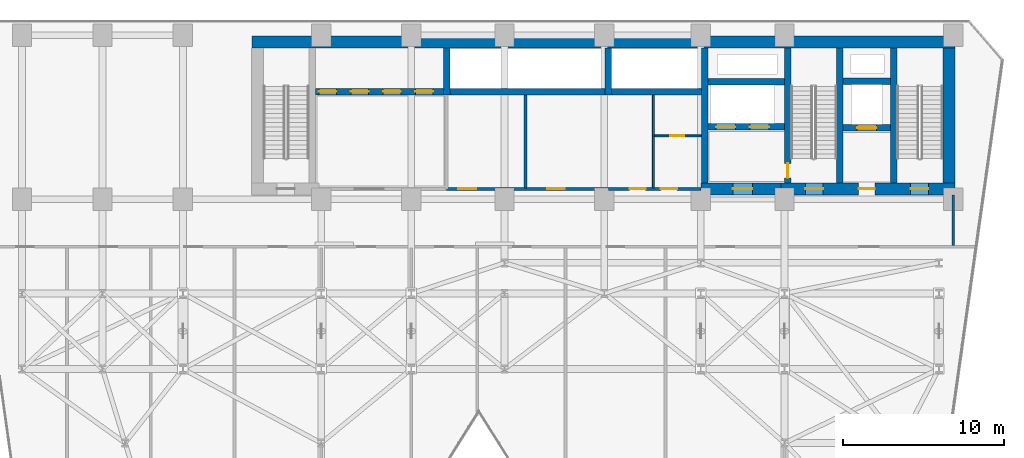
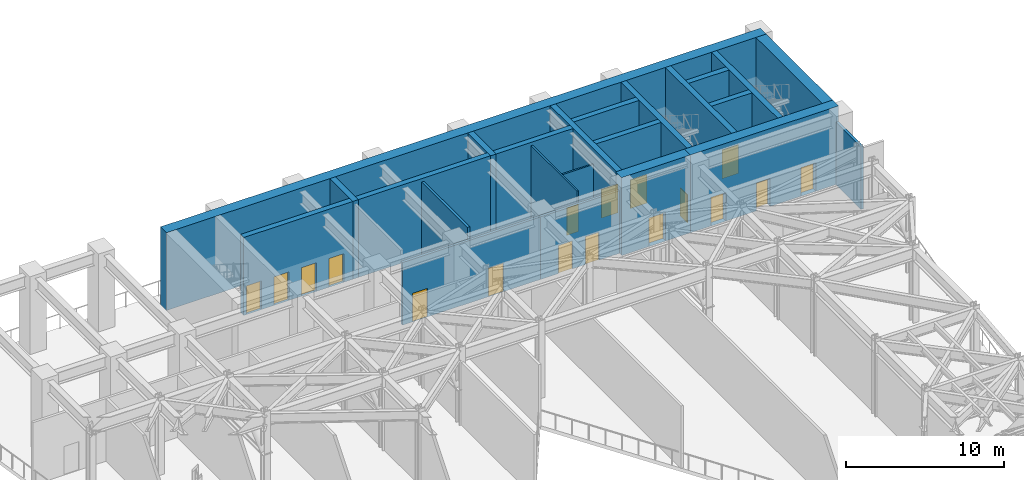
# One storey, part 7 of 12: 23 walls, 17 doors, 17 openings.
"""IFC4 building model written with IfcOpenShell, lengths in metres."""

from ifc_helpers import new_model, si_unit, direction, frame, frame_2d, origin, place, context, subcontext, project, spatial, rectangle, extrude, material, layer, layer_set, type_object, element, fill, save


model = new_model("IFC4")

# Units and contexts
model_context = context("Model", 3, precision=1e-05, world=origin(), true_north=direction((0.0, 1.0)))
body_context = subcontext(model_context, "Body", "Model", "MODEL_VIEW")
ifc_project = project(units=[si_unit("LENGTHUNIT", "METRE"), si_unit("AREAUNIT", "SQUARE_METRE"), si_unit("VOLUMEUNIT", "CUBIC_METRE"), si_unit("PLANEANGLEUNIT", "RADIAN"), si_unit("MASSUNIT", "GRAM", prefix="KILO")], contexts=[model_context])

# Site, building, storey
site_placement = place(None, origin())
site = spatial("IfcSite", under=ifc_project, at=site_placement, CompositionType="ELEMENT")
building_placement = place(site_placement, origin())
building = spatial("IfcBuilding", under=site, at=building_placement, Name="Kravanh Interchange Tower", CompositionType="ELEMENT")
storey_placement = place(building_placement, frame((0.0, 0.0, 85.5)))
storey = spatial("IfcBuildingStorey", under=building, at=storey_placement, Name="L20", CompositionType="ELEMENT", Elevation=85.5)

# Wall
ifc_material_1 = material(Name="Double Acoustic Gypsum Board and Mineral Wool")
ifc_layer_1 = layer(ifc_material_1, 0.1201171875)
ifc_layer_set_1 = layer_set([ifc_layer_1], Name="Acoustic Office Drywall Partition 120mm")
wall_type_1 = type_object("IfcWallType", Name="Acoustic Office Drywall Partition 120mm", PredefinedType="PARTITIONING", material=ifc_layer_set_1)
wall_1_placement = place(storey_placement, frame((47.85009765625, 38.068115234375, 0.0), z_axis=(0.0, 0.0, 1.0), x_axis=(0.0, 1.0, 0.0)))
element("IfcWall", 1, at=wall_1_placement, inside=storey, type_object=wall_type_1, Name="L20 Interior Partition 2", PredefinedType="PARTITIONING", context=body_context, shape_type="SweptSolid", body=[
    extrude(rectangle(XDim=5.77392578125, YDim=0.1201171875, at=frame_2d((2.886962890625, 0.0))), origin(), (0.0, 0.0, 1.0), 5.7451171875),
])

# Wall, opening, door
wall_2_placement = place(storey_placement, frame((47.91796875, 41.300048828125, 0.0), z_axis=(0.0, 0.0, 1.0), x_axis=(1.0, 0.0, 0.0)))
wall_2 = element("IfcWall", 2, at=wall_2_placement, inside=storey, type_object=wall_type_1, Name="L20 Interior Partition 3", PredefinedType="PARTITIONING", context=body_context, shape_type="SweptSolid", body=[
    extrude(rectangle(XDim=2.924072265625, YDim=0.1201171875, at=frame_2d((1.4619140625, 0.0))), origin(), (0.0, 0.0, 1.0), 4.818115234375),
])
opening_1_placement = place(wall_2_placement, frame((0.9912109375, 0.0, 0.0)))
opening_1 = element("IfcOpeningElement", 3, at=opening_1_placement, cuts=wall_2, Name="Opening D-85", PredefinedType="OPENING", context=body_context, shape_type="SweptSolid", body=[
    extrude(rectangle(XDim=0.85009765625, YDim=2.10009765625, at=frame_2d((0.425048828125, 1.050048828125))), frame((0.0, 0.070068359375, 0.0), z_axis=(0.0, -1.0, 0.0), x_axis=(1.0, 0.0, 0.0)), (0.0, 0.0, 1.0), 0.14013671875),
])
ifc_material_2 = material(Name="Engineered Teak Veneer Timber", Category="wood")
door_type_1 = type_object("IfcDoorType", Name="En-Suite Timber Door 850x2100", OperationType="NOTDEFINED", PredefinedType="DOOR", material=ifc_material_2)
door_1_placement = place(opening_1_placement, origin())
door_1 = element("IfcDoor", 4, at=door_1_placement, inside=storey, type_object=door_type_1, Name="L20 Core Supply Inner Door", OperationType="SINGLE_SWING_RIGHT", OverallHeight=2.10009765625, OverallWidth=0.85009765625, PredefinedType="DOOR", context=body_context, shape_type="SweptSolid", body=[
    extrude(rectangle(XDim=0.85009765625, YDim=2.10009765625, at=frame_2d((0.425048828125, 1.050048828125))), frame((0.0, 0.02490234375, 0.0), z_axis=(0.0, -1.0, 0.0), x_axis=(1.0, 0.0, 0.0)), (0.0, 0.0, 1.0), 0.050048828125),
])
fill(opening_1, door_1)

# Walls
ifc_material_3 = material(Name="Concrete C80/95", Category="concrete")
ifc_layer_2 = layer(ifc_material_3, 0.39990234375)
ifc_layer_set_2 = layer_set([ifc_layer_2], Name="Core Shear Wall Concrete C80/95 400mm")
wall_type_2 = type_object("IfcWallType", Name="Core Shear Wall Concrete C80/95 400mm", PredefinedType="SHEAR", material=ifc_layer_set_2)
for number, where, z_axis, x_axis, name in (
    (5, (62.800048828125, 38.375, 0.0), (0.0, 0.0, 1.0), (0.0, 1.0, 0.0), "L20 Stair ST1 West Shear Wall"),
    (6, (59.449951171875, 38.375, 0.0), (0.0, 0.0, 1.0), (0.0, 1.0, 0.0), "L20 Stair ST2 East Shear Wall"),
):
    element("IfcWall", number, at=place(storey_placement, frame(where, z_axis=z_axis, x_axis=x_axis)), inside=storey, type_object=wall_type_2, Name=name, PredefinedType="SHEAR", context=body_context, shape_type="SweptSolid", body=[
        extrude(rectangle(XDim=8.375, YDim=0.39990234375, at=frame_2d((4.1875, 0.0))), origin(), (0.0, 0.0, 1.0), 6.0),
    ])

# Wall, opening, door
wall_3_placement = place(storey_placement, frame((56.199951171875, 38.375, 0.0), z_axis=(0.0, 0.0, 1.0), x_axis=(0.0, 1.0, 0.0)))
wall_3 = element("IfcWall", 7, at=wall_3_placement, inside=storey, type_object=wall_type_2, Name="L20 Stair ST2 West Shear Wall", PredefinedType="SHEAR", context=body_context, shape_type="SweptSolid", body=[
    extrude(rectangle(XDim=8.375, YDim=0.39990234375, at=frame_2d((4.1875, 0.0))), origin(), (0.0, 0.0, 1.0), 6.0),
])
opening_2_placement = place(wall_3_placement, frame((0.304931640625, 0.0, 0.0)))
opening_2 = element("IfcOpeningElement", 8, at=opening_2_placement, cuts=wall_3, Name="Opening D-STAIR-90", PredefinedType="OPENING", context=body_context, shape_type="SweptSolid", body=[
    extrude(rectangle(XDim=0.89990234375, YDim=2.14990234375, at=frame_2d((0.449951171875, 1.074951171875))), frame((0.0, 0.2099609375, 0.0), z_axis=(0.0, -1.0, 0.0), x_axis=(1.0, 0.0, 0.0)), (0.0, 0.0, 1.0), 0.419921875),
])
ifc_material_4 = material(Name="Structural Steel S355", Category="steel")
door_type_2 = type_object("IfcDoorType", Name="Fire-Rated Stair Lobby Door 900x2150", OperationType="NOTDEFINED", PredefinedType="DOOR", material=ifc_material_4)
door_2_placement = place(opening_2_placement, origin())
door_2 = element("IfcDoor", 9, at=door_2_placement, inside=storey, type_object=door_type_2, Name="L20 Firefighting Lobby to Stair ST2 Door", OperationType="SINGLE_SWING_LEFT", OverallHeight=2.14990234375, OverallWidth=0.89990234375, PredefinedType="DOOR", context=body_context, shape_type="SweptSolid", body=[
    extrude(rectangle(XDim=0.89990234375, YDim=2.14990234375, at=frame_2d((0.449951171875, 1.074951171875))), frame((0.0, 0.02490234375, 0.0), z_axis=(0.0, -1.0, 0.0), x_axis=(1.0, 0.0, 0.0)), (0.0, 0.0, 1.0), 0.050048828125),
])
fill(opening_2, door_2)

wall_4_placement = place(storey_placement, frame((59.64990234375, 41.800048828125, 0.0), z_axis=(0.0, 0.0, 1.0), x_axis=(1.0, 0.0, 0.0)))
wall_4 = element("IfcWall", 10, at=wall_4_placement, inside=storey, type_object=wall_type_2, Name="L20 Service Lift Shaft South Wall", PredefinedType="SHEAR", context=body_context, shape_type="SweptSolid", body=[
    extrude(rectangle(XDim=2.9501953125, YDim=0.39990234375, at=frame_2d((1.47509765625, 0.0))), origin(), (0.0, 0.0, 1.0), 6.0),
])
opening_3_placement = place(wall_4_placement, frame((0.8701171875, 0.0, 0.0)))
opening_3 = element("IfcOpeningElement", 11, at=opening_3_placement, cuts=wall_4, Name="Opening LD02", PredefinedType="OPENING", context=body_context, shape_type="SweptSolid", body=[
    extrude(rectangle(XDim=1.199951171875, YDim=2.199951171875, at=frame_2d((0.60009765625, 1.10009765625))), frame((0.0, 0.2099609375, 0.0), z_axis=(0.0, -1.0, 0.0), x_axis=(1.0, 0.0, 0.0)), (0.0, 0.0, 1.0), 0.419921875),
])
ifc_material_5 = material(Name="Stainless Steel 316", Category="steel")
door_type_3 = type_object("IfcDoorType", Name="Fire and Service Lift Sliding Landing Door 1200x2200", OperationType="DOUBLE_DOOR_SLIDING", PredefinedType="DOOR", material=ifc_material_5)
door_3_placement = place(opening_3_placement, origin())
door_3 = element("IfcDoor", 12, at=door_3_placement, inside=storey, type_object=door_type_3, Name="L20 Lift LS-01 Landing Door", OperationType="DOUBLE_DOOR_SLIDING", OverallHeight=2.199951171875, OverallWidth=1.199951171875, PredefinedType="DOOR", context=body_context, shape_type="SweptSolid", body=[
    extrude(rectangle(XDim=1.199951171875, YDim=2.199951171875, at=frame_2d((0.60009765625, 1.10009765625))), frame((0.0, 0.02490234375, 0.0), z_axis=(0.0, -1.0, 0.0), x_axis=(1.0, 0.0, 0.0)), (0.0, 0.0, 1.0), 0.050048828125),
])
fill(opening_3, door_3)

# Wall
wall_5_placement = place(storey_placement, frame((59.64990234375, 44.699951171875, 0.0), z_axis=(0.0, 0.0, 1.0), x_axis=(1.0, 0.0, 0.0)))
element("IfcWall", 13, at=wall_5_placement, inside=storey, type_object=wall_type_2, Name="L20 Service Lift Shaft North Wall", PredefinedType="SHEAR", context=body_context, shape_type="SweptSolid", body=[
    extrude(rectangle(XDim=2.9501953125, YDim=0.39990234375, at=frame_2d((1.47509765625, 0.0))), origin(), (0.0, 0.0, 1.0), 6.0),
])

# Wall, openings, doors
wall_6_placement = place(storey_placement, frame((51.25, 41.85009765625, 0.0), z_axis=(0.0, 0.0, 1.0), x_axis=(1.0, 0.0, 0.0)))
wall_6 = element("IfcWall", 14, at=wall_6_placement, inside=storey, type_object=wall_type_2, Name="L20 Fire Lift Shaft South Wall", PredefinedType="SHEAR", context=body_context, shape_type="SweptSolid", body=[
    extrude(rectangle(XDim=4.75, YDim=0.39990234375, at=frame_2d((2.375, 0.0))), origin(), (0.0, 0.0, 1.0), 6.0),
])
opening_4_placement = place(wall_6_placement, frame((0.5, 0.0, 0.0)))
opening_4 = element("IfcOpeningElement", 15, at=opening_4_placement, cuts=wall_6, Name="Opening LD02", PredefinedType="OPENING", context=body_context, shape_type="SweptSolid", body=[
    extrude(rectangle(XDim=1.199951171875, YDim=2.199951171875, at=frame_2d((0.60009765625, 1.10009765625))), frame((0.0, 0.2099609375, 0.0), z_axis=(0.0, -1.0, 0.0), x_axis=(1.0, 0.0, 0.0)), (0.0, 0.0, 1.0), 0.419921875),
])
opening_5_placement = place(wall_6_placement, frame((2.60009765625, 0.0, 0.0)))
opening_5 = element("IfcOpeningElement", 16, at=opening_5_placement, cuts=wall_6, Name="Opening LD02", PredefinedType="OPENING", context=body_context, shape_type="SweptSolid", body=[
    extrude(rectangle(XDim=1.199951171875, YDim=2.199951171875, at=frame_2d((0.60009765625, 1.10009765625))), frame((0.0, 0.2099609375, 0.0), z_axis=(0.0, -1.0, 0.0), x_axis=(1.0, 0.0, 0.0)), (0.0, 0.0, 1.0), 0.419921875),
])
door_4_placement = place(opening_4_placement, origin())
door_4 = element("IfcDoor", 17, at=door_4_placement, inside=storey, type_object=door_type_3, Name="L20 Lift FSAE-01 Landing Door", OperationType="DOUBLE_DOOR_SLIDING", OverallHeight=2.199951171875, OverallWidth=1.199951171875, PredefinedType="DOOR", context=body_context, shape_type="SweptSolid", body=[
    extrude(rectangle(XDim=1.199951171875, YDim=2.199951171875, at=frame_2d((0.60009765625, 1.10009765625))), frame((0.0, 0.02490234375, 0.0), z_axis=(0.0, -1.0, 0.0), x_axis=(1.0, 0.0, 0.0)), (0.0, 0.0, 1.0), 0.050048828125),
])
fill(opening_4, door_4)
door_5_placement = place(opening_5_placement, origin())
door_5 = element("IfcDoor", 18, at=door_5_placement, inside=storey, type_object=door_type_3, Name="L20 Lift FSAE-02 Landing Door", OperationType="DOUBLE_DOOR_SLIDING", OverallHeight=2.199951171875, OverallWidth=1.199951171875, PredefinedType="DOOR", context=body_context, shape_type="SweptSolid", body=[
    extrude(rectangle(XDim=1.199951171875, YDim=2.199951171875, at=frame_2d((0.60009765625, 1.10009765625))), frame((0.0, 0.02490234375, 0.0), z_axis=(0.0, -1.0, 0.0), x_axis=(1.0, 0.0, 0.0)), (0.0, 0.0, 1.0), 0.050048828125),
])
fill(opening_5, door_5)

# Walls
wall_7_placement = place(storey_placement, frame((51.25, 44.64990234375, 0.0), z_axis=(0.0, 0.0, 1.0), x_axis=(1.0, 0.0, 0.0)))
element("IfcWall", 19, at=wall_7_placement, inside=storey, type_object=wall_type_2, Name="L20 Fire Lift Shaft North Wall", PredefinedType="SHEAR", context=body_context, shape_type="SweptSolid", body=[
    extrude(rectangle(XDim=4.75, YDim=0.39990234375, at=frame_2d((2.375, 0.0))), origin(), (0.0, 0.0, 1.0), 6.0),
])
wall_8_placement = place(storey_placement, frame((51.050048828125, 38.375, 0.0), z_axis=(0.0, 0.0, 1.0), x_axis=(0.0, 1.0, 0.0)))
element("IfcWall", 20, at=wall_8_placement, inside=storey, type_object=wall_type_2, Name="L20 Firefighting Lobby West Wall", PredefinedType="SHEAR", context=body_context, shape_type="SweptSolid", body=[
    extrude(rectangle(XDim=8.375, YDim=0.39990234375, at=frame_2d((4.1875, 0.0))), origin(), (0.0, 0.0, 1.0), 6.0),
])
wall_9_placement = place(storey_placement, frame((45.25, 44.050048828125, 0.0), z_axis=(0.0, 0.0, 1.0), x_axis=(1.0, 0.0, 0.0)))
element("IfcWall", 21, at=wall_9_placement, inside=storey, type_object=wall_type_2, Name="L20 High-Rise Lift Shaft South Wall", PredefinedType="SHEAR", context=body_context, shape_type="SweptSolid", body=[
    extrude(rectangle(XDim=5.60009765625, YDim=0.39990234375, at=frame_2d((2.800048828125, 0.0))), origin(), (0.0, 0.0, 1.0), 6.0),
])
wall_10_placement = place(storey_placement, frame((45.050048828125, 43.85009765625, 0.0), z_axis=(0.0, 0.0, 1.0), x_axis=(0.0, 1.0, 0.0)))
element("IfcWall", 22, at=wall_10_placement, inside=storey, type_object=wall_type_2, Name="L20 High-Rise Lift Shaft West Wall", PredefinedType="SHEAR", context=body_context, shape_type="SweptSolid", body=[
    extrude(rectangle(XDim=2.89990234375, YDim=0.39990234375, at=frame_2d((1.449951171875, 0.0))), origin(), (0.0, 0.0, 1.0), 6.0),
])
wall_11_placement = place(storey_placement, frame((35.199951171875, 44.050048828125, 0.0), z_axis=(0.0, 0.0, 1.0), x_axis=(1.0, 0.0, 0.0)))
element("IfcWall", 23, at=wall_11_placement, inside=storey, type_object=wall_type_2, Name="L20 Mid-Rise Lift Shaft South Wall", PredefinedType="SHEAR", context=body_context, shape_type="SweptSolid", body=[
    extrude(rectangle(XDim=9.650146484375, YDim=0.39990234375, at=frame_2d((4.8251953125, 0.0))), origin(), (0.0, 0.0, 1.0), 6.0),
])
wall_12_placement = place(storey_placement, frame((35.0, 43.85009765625, 0.0), z_axis=(0.0, 0.0, 1.0), x_axis=(0.0, 1.0, 0.0)))
element("IfcWall", 24, at=wall_12_placement, inside=storey, type_object=wall_type_2, Name="L20 Mid-Rise Lift Shaft West Wall", PredefinedType="SHEAR", context=body_context, shape_type="SweptSolid", body=[
    extrude(rectangle(XDim=2.89990234375, YDim=0.39990234375, at=frame_2d((1.449951171875, 0.0))), origin(), (0.0, 0.0, 1.0), 6.0),
])

# Wall, openings, doors
wall_13_placement = place(storey_placement, frame((26.85009765625, 44.050048828125, 0.0), z_axis=(0.0, 0.0, 1.0), x_axis=(1.0, 0.0, 0.0)))
wall_13 = element("IfcWall", 25, at=wall_13_placement, inside=storey, type_object=wall_type_2, Name="L20 Low-Rise Lift Shaft South Wall", PredefinedType="SHEAR", context=body_context, shape_type="SweptSolid", body=[
    extrude(rectangle(XDim=7.949951171875, YDim=0.39990234375, at=frame_2d((3.97509765625, 0.0))), origin(), (0.0, 0.0, 1.0), 6.0),
])
opening_6_placement = place(wall_13_placement, frame((0.199951171875, 0.0, 0.0)))
opening_6 = element("IfcOpeningElement", 26, at=opening_6_placement, cuts=wall_13, Name="Opening LD01", PredefinedType="OPENING", context=body_context, shape_type="SweptSolid", body=[
    extrude(rectangle(XDim=1.10009765625, YDim=2.199951171875, at=frame_2d((0.550048828125, 1.10009765625))), frame((0.0, 0.2099609375, 0.0), z_axis=(0.0, -1.0, 0.0), x_axis=(1.0, 0.0, 0.0)), (0.0, 0.0, 1.0), 0.419921875),
])
opening_7_placement = place(wall_13_placement, frame((2.199951171875, 0.0, 0.0)))
opening_7 = element("IfcOpeningElement", 27, at=opening_7_placement, cuts=wall_13, Name="Opening LD01", PredefinedType="OPENING", context=body_context, shape_type="SweptSolid", body=[
    extrude(rectangle(XDim=1.10009765625, YDim=2.199951171875, at=frame_2d((0.550048828125, 1.10009765625))), frame((0.0, 0.2099609375, 0.0), z_axis=(0.0, -1.0, 0.0), x_axis=(1.0, 0.0, 0.0)), (0.0, 0.0, 1.0), 0.419921875),
])
opening_8_placement = place(wall_13_placement, frame((4.199951171875, 0.0, 0.0)))
opening_8 = element("IfcOpeningElement", 28, at=opening_8_placement, cuts=wall_13, Name="Opening LD01", PredefinedType="OPENING", context=body_context, shape_type="SweptSolid", body=[
    extrude(rectangle(XDim=1.10009765625, YDim=2.199951171875, at=frame_2d((0.550048828125, 1.10009765625))), frame((0.0, 0.2099609375, 0.0), z_axis=(0.0, -1.0, 0.0), x_axis=(1.0, 0.0, 0.0)), (0.0, 0.0, 1.0), 0.419921875),
])
opening_9_placement = place(wall_13_placement, frame((6.199951171875, 0.0, 0.0)))
opening_9 = element("IfcOpeningElement", 29, at=opening_9_placement, cuts=wall_13, Name="Opening LD01", PredefinedType="OPENING", context=body_context, shape_type="SweptSolid", body=[
    extrude(rectangle(XDim=1.10009765625, YDim=2.199951171875, at=frame_2d((0.550048828125, 1.10009765625))), frame((0.0, 0.2099609375, 0.0), z_axis=(0.0, -1.0, 0.0), x_axis=(1.0, 0.0, 0.0)), (0.0, 0.0, 1.0), 0.419921875),
])
ifc_material_6 = material(Name="Stainless Steel 304", Category="steel")
door_type_4 = type_object("IfcDoorType", Name="Passenger Lift Sliding Landing Door 1100x2200", OperationType="DOUBLE_DOOR_SLIDING", PredefinedType="DOOR", material=ifc_material_6)
door_6_placement = place(opening_6_placement, origin())
door_6 = element("IfcDoor", 30, at=door_6_placement, inside=storey, type_object=door_type_4, Name="L20 Lift LP-L1 Landing Door", OperationType="DOUBLE_DOOR_SLIDING", OverallHeight=2.199951171875, OverallWidth=1.10009765625, PredefinedType="DOOR", context=body_context, shape_type="SweptSolid", body=[
    extrude(rectangle(XDim=1.10009765625, YDim=2.199951171875, at=frame_2d((0.550048828125, 1.10009765625))), frame((0.0, 0.02490234375, 0.0), z_axis=(0.0, -1.0, 0.0), x_axis=(1.0, 0.0, 0.0)), (0.0, 0.0, 1.0), 0.050048828125),
])
fill(opening_6, door_6)
door_7_placement = place(opening_7_placement, origin())
door_7 = element("IfcDoor", 31, at=door_7_placement, inside=storey, type_object=door_type_4, Name="L20 Lift LP-L2 Landing Door", OperationType="DOUBLE_DOOR_SLIDING", OverallHeight=2.199951171875, OverallWidth=1.10009765625, PredefinedType="DOOR", context=body_context, shape_type="SweptSolid", body=[
    extrude(rectangle(XDim=1.10009765625, YDim=2.199951171875, at=frame_2d((0.550048828125, 1.10009765625))), frame((0.0, 0.02490234375, 0.0), z_axis=(0.0, -1.0, 0.0), x_axis=(1.0, 0.0, 0.0)), (0.0, 0.0, 1.0), 0.050048828125),
])
fill(opening_7, door_7)
door_8_placement = place(opening_8_placement, origin())
door_8 = element("IfcDoor", 32, at=door_8_placement, inside=storey, type_object=door_type_4, Name="L20 Lift LP-L3 Landing Door", OperationType="DOUBLE_DOOR_SLIDING", OverallHeight=2.199951171875, OverallWidth=1.10009765625, PredefinedType="DOOR", context=body_context, shape_type="SweptSolid", body=[
    extrude(rectangle(XDim=1.10009765625, YDim=2.199951171875, at=frame_2d((0.550048828125, 1.10009765625))), frame((0.0, 0.02490234375, 0.0), z_axis=(0.0, -1.0, 0.0), x_axis=(1.0, 0.0, 0.0)), (0.0, 0.0, 1.0), 0.050048828125),
])
fill(opening_8, door_8)
door_9_placement = place(opening_9_placement, origin())
door_9 = element("IfcDoor", 33, at=door_9_placement, inside=storey, type_object=door_type_4, Name="L20 Lift LP-L4 Landing Door", OperationType="DOUBLE_DOOR_SLIDING", OverallHeight=2.199951171875, OverallWidth=1.10009765625, PredefinedType="DOOR", context=body_context, shape_type="SweptSolid", body=[
    extrude(rectangle(XDim=1.10009765625, YDim=2.199951171875, at=frame_2d((0.550048828125, 1.10009765625))), frame((0.0, 0.02490234375, 0.0), z_axis=(0.0, -1.0, 0.0), x_axis=(1.0, 0.0, 0.0)), (0.0, 0.0, 1.0), 0.050048828125),
])
fill(opening_9, door_9)

# Wall
ifc_material_7 = material(Name="Concrete C80/95", Category="concrete")
ifc_layer_3 = layer(ifc_material_7, 0.75)
ifc_layer_set_3 = layer_set([ifc_layer_3], Name="Core Shear Wall Concrete C80/95 750mm")
wall_type_3 = type_object("IfcWallType", Name="Core Shear Wall Concrete C80/95 750mm", PredefinedType="SHEAR", material=ifc_layer_set_3)
wall_14_placement = place(storey_placement, frame((22.89990234375, 47.125, 0.0), z_axis=(0.0, 0.0, 1.0), x_axis=(1.0, 0.0, 0.0)))
element("IfcWall", 34, at=wall_14_placement, inside=storey, type_object=wall_type_3, Name="L20 North Core Shear Wall", PredefinedType="SHEAR", context=body_context, shape_type="SweptSolid", body=[
    extrude(rectangle(XDim=43.7001953125, YDim=0.75, at=frame_2d((21.85009765625, 0.0))), origin(), (0.0, 0.0, 1.0), 6.0),
])

# Wall, openings, doors
wall_15_placement = place(storey_placement, frame((55.800048828125, 38.0, 0.0), z_axis=(0.0, 0.0, 1.0), x_axis=(1.0, 0.0, 0.0)))
wall_15 = element("IfcWall", 35, at=wall_15_placement, inside=storey, type_object=wall_type_3, Name="L20 East Core South Shear Wall", PredefinedType="SHEAR", context=body_context, shape_type="SweptSolid", body=[
    extrude(rectangle(XDim=10.800048828125, YDim=0.75, at=frame_2d((5.39990234375, 0.0))), origin(), (0.0, 0.0, 1.0), 6.0),
])
opening_10_placement = place(wall_15_placement, frame((1.5, 0.0, 0.0)))
opening_10 = element("IfcOpeningElement", 36, at=opening_10_placement, cuts=wall_15, Name="Opening D-STAIR-110", PredefinedType="OPENING", context=body_context, shape_type="SweptSolid", body=[
    extrude(rectangle(XDim=1.10009765625, YDim=2.199951171875, at=frame_2d((0.550048828125, 1.10009765625))), frame((0.0, 0.385009765625, 0.0), z_axis=(0.0, -1.0, 0.0), x_axis=(1.0, 0.0, 0.0)), (0.0, 0.0, 1.0), 0.77001953125),
])
opening_11_placement = place(wall_15_placement, frame((4.820068359375, 0.0, 0.0)))
opening_11 = element("IfcOpeningElement", 37, at=opening_11_placement, cuts=wall_15, Name="Opening D-HOTEL-100", PredefinedType="OPENING", context=body_context, shape_type="SweptSolid", body=[
    extrude(rectangle(XDim=1.0, YDim=2.14990234375, at=frame_2d((0.5, 1.074951171875))), frame((0.0, 0.385009765625, 0.0), z_axis=(0.0, -1.0, 0.0), x_axis=(1.0, 0.0, 0.0)), (0.0, 0.0, 1.0), 0.77001953125),
])
opening_12_placement = place(wall_15_placement, frame((8.050048828125, 0.0, 0.0)))
opening_12 = element("IfcOpeningElement", 38, at=opening_12_placement, cuts=wall_15, Name="Opening D-STAIR-110", PredefinedType="OPENING", context=body_context, shape_type="SweptSolid", body=[
    extrude(rectangle(XDim=1.10009765625, YDim=2.199951171875, at=frame_2d((0.550048828125, 1.10009765625))), frame((0.0, 0.385009765625, 0.0), z_axis=(0.0, -1.0, 0.0), x_axis=(1.0, 0.0, 0.0)), (0.0, 0.0, 1.0), 0.77001953125),
])
ifc_material_8 = material(Name="Structural Steel S355", Category="steel")
door_type_5 = type_object("IfcDoorType", Name="Fire-Rated Exit Stair Door 1100x2200", OperationType="NOTDEFINED", PredefinedType="DOOR", material=ifc_material_8)
door_10_placement = place(opening_10_placement, origin())
door_10 = element("IfcDoor", 39, at=door_10_placement, inside=storey, type_object=door_type_5, Name="L20 Exit Stair ST2 Door", OperationType="SINGLE_SWING_RIGHT", OverallHeight=2.199951171875, OverallWidth=1.10009765625, PredefinedType="DOOR", context=body_context, shape_type="SweptSolid", body=[
    extrude(rectangle(XDim=1.10009765625, YDim=2.199951171875, at=frame_2d((0.550048828125, 1.10009765625))), frame((0.0, 0.02490234375, 0.0), z_axis=(0.0, -1.0, 0.0), x_axis=(1.0, 0.0, 0.0)), (0.0, 0.0, 1.0), 0.050048828125),
])
fill(opening_10, door_10)
door_11_placement = place(opening_12_placement, origin())
door_11 = element("IfcDoor", 40, at=door_11_placement, inside=storey, type_object=door_type_5, Name="L20 Exit Stair ST1 Door", OperationType="SINGLE_SWING_RIGHT", OverallHeight=2.199951171875, OverallWidth=1.10009765625, PredefinedType="DOOR", context=body_context, shape_type="SweptSolid", body=[
    extrude(rectangle(XDim=1.10009765625, YDim=2.199951171875, at=frame_2d((0.550048828125, 1.10009765625))), frame((0.0, 0.02490234375, 0.0), z_axis=(0.0, -1.0, 0.0), x_axis=(1.0, 0.0, 0.0)), (0.0, 0.0, 1.0), 0.050048828125),
])
fill(opening_12, door_11)
ifc_material_9 = material(Name="Fire-Rated Solid Timber Leaf", Category="wood")
door_type_6 = type_object("IfcDoorType", Name="Fire-Rated Suite Entrance Door 1000x2150", OperationType="NOTDEFINED", PredefinedType="DOOR", material=ifc_material_9)
door_12_placement = place(opening_11_placement, origin())
door_12 = element("IfcDoor", 41, at=door_12_placement, inside=storey, type_object=door_type_6, Name="L20 Service Lift Lobby Door", OperationType="SINGLE_SWING_RIGHT", OverallHeight=2.14990234375, OverallWidth=1.0, PredefinedType="DOOR", context=body_context, shape_type="SweptSolid", body=[
    extrude(rectangle(XDim=1.0, YDim=2.14990234375, at=frame_2d((0.5, 1.074951171875))), frame((0.0, 0.02490234375, 0.0), z_axis=(0.0, -1.0, 0.0), x_axis=(1.0, 0.0, 0.0)), (0.0, 0.0, 1.0), 0.050048828125),
])
fill(opening_11, door_12)

# Wall
wall_16_placement = place(storey_placement, frame((66.22509765625, 38.375, 0.0), z_axis=(0.0, 0.0, 1.0), x_axis=(0.0, 1.0, 0.0)))
element("IfcWall", 42, at=wall_16_placement, inside=storey, type_object=wall_type_3, Name="L20 Stair ST1 East Shear Wall", PredefinedType="SHEAR", context=body_context, shape_type="SweptSolid", body=[
    extrude(rectangle(XDim=8.375, YDim=0.75, at=frame_2d((4.1875, 0.0))), origin(), (0.0, 0.0, 1.0), 6.0),
])

# Wall, opening, door
wall_17_placement = place(storey_placement, frame((50.800048828125, 38.0, 0.0), z_axis=(0.0, 0.0, 1.0), x_axis=(1.0, 0.0, 0.0)))
wall_17 = element("IfcWall", 43, at=wall_17_placement, inside=storey, type_object=wall_type_3, Name="L20 Firefighting Lobby South Shear Wall", PredefinedType="SHEAR", context=body_context, shape_type="SweptSolid", body=[
    extrude(rectangle(XDim=5.0, YDim=0.75, at=frame_2d((2.5, 0.0))), origin(), (0.0, 0.0, 1.0), 6.0),
])
opening_13_placement = place(wall_17_placement, frame((2.0, 0.0, 0.0)))
opening_13 = element("IfcOpeningElement", 44, at=opening_13_placement, cuts=wall_17, Name="Opening D-FSAE-120", PredefinedType="OPENING", context=body_context, shape_type="SweptSolid", body=[
    extrude(rectangle(XDim=1.199951171875, YDim=2.199951171875, at=frame_2d((0.60009765625, 1.10009765625))), frame((0.0, 0.385009765625, 0.0), z_axis=(0.0, -1.0, 0.0), x_axis=(1.0, 0.0, 0.0)), (0.0, 0.0, 1.0), 0.77001953125),
])
ifc_material_10 = material(Name="Structural Steel S355", Category="steel")
door_type_7 = type_object("IfcDoorType", Name="Fire-Rated Refuge and FSAE Door 1200x2200", OperationType="NOTDEFINED", PredefinedType="DOOR", material=ifc_material_10)
door_13_placement = place(opening_13_placement, origin())
door_13 = element("IfcDoor", 45, at=door_13_placement, inside=storey, type_object=door_type_7, Name="L20 Firefighting Lobby Corridor Door", OperationType="SINGLE_SWING_RIGHT", OverallHeight=2.199951171875, OverallWidth=1.199951171875, PredefinedType="DOOR", context=body_context, shape_type="SweptSolid", body=[
    extrude(rectangle(XDim=1.199951171875, YDim=2.199951171875, at=frame_2d((0.60009765625, 1.10009765625))), frame((0.0, 0.02490234375, 0.0), z_axis=(0.0, -1.0, 0.0), x_axis=(1.0, 0.0, 0.0)), (0.0, 0.0, 1.0), 0.050048828125),
])
fill(opening_13, door_13)

# Wall, openings, doors
ifc_material_11 = material(Name="Autoclaved Aerated Concrete C30/37 Blockwork", Category="masonry")
ifc_layer_4 = layer(ifc_material_11, 0.179931640625)
ifc_layer_set_4 = layer_set([ifc_layer_4], Name="Fire-Rated Lobby and Corridor Wall Concrete C30/37 180mm")
wall_type_4 = type_object("IfcWallType", Name="Fire-Rated Lobby and Corridor Wall Concrete C30/37 180mm", PredefinedType="STANDARD", material=ifc_layer_set_4)
wall_18_placement = place(storey_placement, frame((45.050048828125, 38.0, 0.0), z_axis=(0.0, 0.0, 1.0), x_axis=(1.0, 0.0, 0.0)))
wall_18 = element("IfcWall", 46, at=wall_18_placement, inside=storey, type_object=wall_type_4, Name="L20 Core South Enclosure 1", PredefinedType="STANDARD", context=body_context, shape_type="SweptSolid", body=[
    extrude(rectangle(XDim=5.75, YDim=0.179931640625, at=frame_2d((2.875, 0.0))), origin(), (0.0, 0.0, 1.0), 4.818115234375),
])
opening_14_placement = place(wall_18_placement, frame((1.324951171875, 0.0, 0.0)))
opening_14 = element("IfcOpeningElement", 47, at=opening_14_placement, cuts=wall_18, Name="Opening D-HOTEL-100", PredefinedType="OPENING", context=body_context, shape_type="SweptSolid", body=[
    extrude(rectangle(XDim=1.0, YDim=2.14990234375, at=frame_2d((0.5, 1.074951171875))), frame((0.0, 0.10009765625, 0.0), z_axis=(0.0, -1.0, 0.0), x_axis=(1.0, 0.0, 0.0)), (0.0, 0.0, 1.0), 0.199951171875),
])
opening_15_placement = place(wall_18_placement, frame((3.27490234375, 0.0, 0.0)))
opening_15 = element("IfcOpeningElement", 48, at=opening_15_placement, cuts=wall_18, Name="Opening D-HOTEL-100", PredefinedType="OPENING", context=body_context, shape_type="SweptSolid", body=[
    extrude(rectangle(XDim=1.0, YDim=2.14990234375, at=frame_2d((0.5, 1.074951171875))), frame((0.0, 0.10009765625, 0.0), z_axis=(0.0, -1.0, 0.0), x_axis=(1.0, 0.0, 0.0)), (0.0, 0.0, 1.0), 0.199951171875),
])
door_14_placement = place(opening_14_placement, origin())
door_14 = element("IfcDoor", 49, at=door_14_placement, inside=storey, type_object=door_type_6, Name="L20 Core Metering Door", OperationType="SINGLE_SWING_RIGHT", OverallHeight=2.14990234375, OverallWidth=1.0, PredefinedType="DOOR", context=body_context, shape_type="SweptSolid", body=[
    extrude(rectangle(XDim=1.0, YDim=2.14990234375, at=frame_2d((0.5, 1.074951171875))), frame((0.0, 0.02490234375, 0.0), z_axis=(0.0, -1.0, 0.0), x_axis=(1.0, 0.0, 0.0)), (0.0, 0.0, 1.0), 0.050048828125),
])
fill(opening_14, door_14)
door_15_placement = place(opening_15_placement, origin())
door_15 = element("IfcDoor", 50, at=door_15_placement, inside=storey, type_object=door_type_6, Name="L20 Core Copy Room Door", OperationType="SINGLE_SWING_LEFT", OverallHeight=2.14990234375, OverallWidth=1.0, PredefinedType="DOOR", context=body_context, shape_type="SweptSolid", body=[
    extrude(rectangle(XDim=1.0, YDim=2.14990234375, at=frame_2d((0.5, 1.074951171875))), frame((0.0, 0.02490234375, 0.0), z_axis=(0.0, -1.0, 0.0), x_axis=(1.0, 0.0, 0.0)), (0.0, 0.0, 1.0), 0.050048828125),
])
fill(opening_15, door_15)

wall_19_placement = place(storey_placement, frame((35.0, 38.0, 0.0), z_axis=(0.0, 0.0, 1.0), x_axis=(1.0, 0.0, 0.0)))
wall_19 = element("IfcWall", 51, at=wall_19_placement, inside=storey, type_object=wall_type_4, Name="L20 Core Plant Support South Wall 6", PredefinedType="STANDARD", context=body_context, shape_type="SweptSolid", body=[
    extrude(rectangle(XDim=10.050048828125, YDim=0.179931640625, at=frame_2d((5.02490234375, 0.0))), origin(), (0.0, 0.0, 1.0), 4.818115234375),
])
opening_16_placement = place(wall_19_placement, frame((0.72509765625, 0.0, 0.0)))
opening_16 = element("IfcOpeningElement", 52, at=opening_16_placement, cuts=wall_19, Name="Opening D-STAIR-110", PredefinedType="OPENING", context=body_context, shape_type="SweptSolid", body=[
    extrude(rectangle(XDim=1.10009765625, YDim=2.199951171875, at=frame_2d((0.550048828125, 1.10009765625))), frame((0.0, 0.10009765625, 0.0), z_axis=(0.0, -1.0, 0.0), x_axis=(1.0, 0.0, 0.0)), (0.0, 0.0, 1.0), 0.199951171875),
])
opening_17_placement = place(wall_19_placement, frame((6.25, 0.0, 0.0)))
opening_17 = element("IfcOpeningElement", 53, at=opening_17_placement, cuts=wall_19, Name="Opening D-STAIR-110", PredefinedType="OPENING", context=body_context, shape_type="SweptSolid", body=[
    extrude(rectangle(XDim=1.10009765625, YDim=2.199951171875, at=frame_2d((0.550048828125, 1.10009765625))), frame((0.0, 0.10009765625, 0.0), z_axis=(0.0, -1.0, 0.0), x_axis=(1.0, 0.0, 0.0)), (0.0, 0.0, 1.0), 0.199951171875),
])
door_16_placement = place(opening_16_placement, origin())
door_16 = element("IfcDoor", 54, at=door_16_placement, inside=storey, type_object=door_type_5, Name="L20 Core Switchgear Room Door", OperationType="SINGLE_SWING_LEFT", OverallHeight=2.199951171875, OverallWidth=1.10009765625, PredefinedType="DOOR", context=body_context, shape_type="SweptSolid", body=[
    extrude(rectangle(XDim=1.10009765625, YDim=2.199951171875, at=frame_2d((0.550048828125, 1.10009765625))), frame((0.0, 0.02490234375, 0.0), z_axis=(0.0, -1.0, 0.0), x_axis=(1.0, 0.0, 0.0)), (0.0, 0.0, 1.0), 0.050048828125),
])
fill(opening_16, door_16)
door_17_placement = place(opening_17_placement, origin())
door_17 = element("IfcDoor", 55, at=door_17_placement, inside=storey, type_object=door_type_5, Name="L20 Core Mechanical Plant Room Door", OperationType="SINGLE_SWING_RIGHT", OverallHeight=2.199951171875, OverallWidth=1.10009765625, PredefinedType="DOOR", context=body_context, shape_type="SweptSolid", body=[
    extrude(rectangle(XDim=1.10009765625, YDim=2.199951171875, at=frame_2d((0.550048828125, 1.10009765625))), frame((0.0, 0.02490234375, 0.0), z_axis=(0.0, -1.0, 0.0), x_axis=(1.0, 0.0, 0.0)), (0.0, 0.0, 1.0), 0.050048828125),
])
fill(opening_17, door_17)

# Walls
wall_20_placement = place(storey_placement, frame((39.89990234375, 38.068115234375, 0.0), z_axis=(0.0, 0.0, 1.0), x_axis=(0.0, 1.0, 0.0)))
element("IfcWall", 56, at=wall_20_placement, inside=storey, type_object=wall_type_4, Name="L20 Interior Partition 7", PredefinedType="STANDARD", context=body_context, shape_type="SweptSolid", body=[
    extrude(rectangle(XDim=5.77392578125, YDim=0.179931640625, at=frame_2d((2.886962890625, 0.0))), origin(), (0.0, 0.0, 1.0), 5.7451171875),
])
wall_21_placement = place(storey_placement, frame((66.5, 34.468017578125, 0.0), z_axis=(0.0, 0.0, 1.0), x_axis=(0.0, 1.0, 0.0)))
element("IfcWall", 57, at=wall_21_placement, inside=storey, type_object=wall_type_4, Name="L20 Interior Partition 9", PredefinedType="STANDARD", context=body_context, shape_type="SweptSolid", body=[
    extrude(rectangle(XDim=3.14892578125, YDim=0.179931640625, at=frame_2d((1.574462890625, 0.0))), origin(), (0.0, 0.0, 1.0), 4.818115234375),
])

save(model, "model.ifc")
